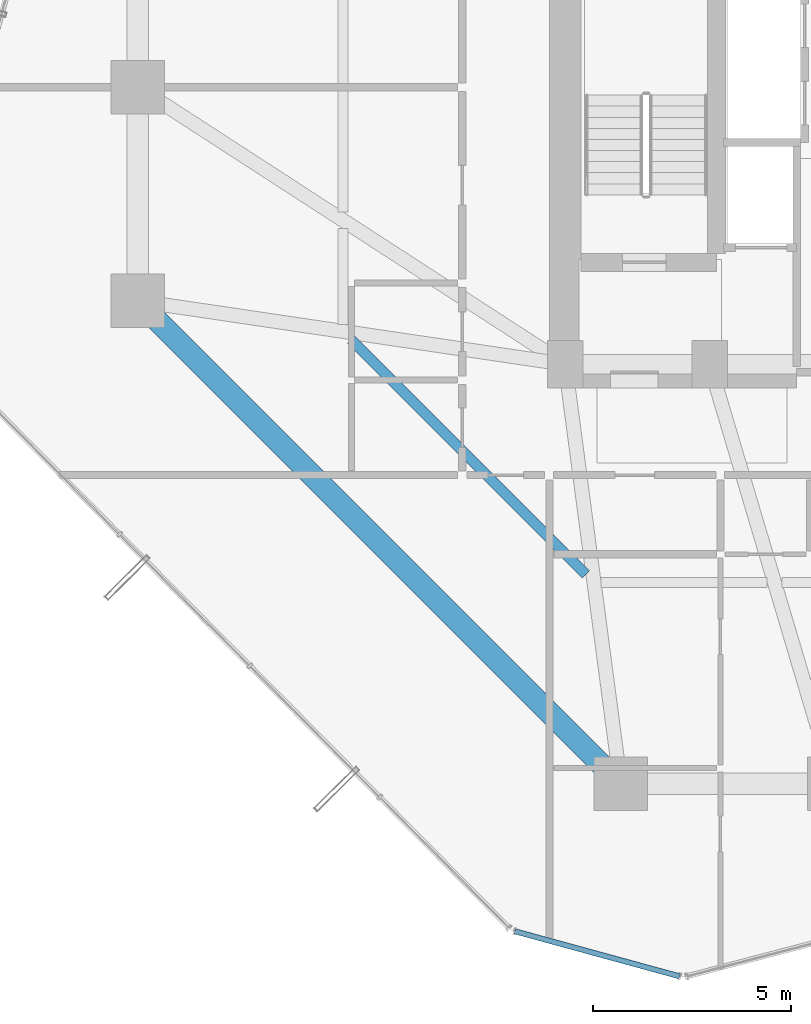
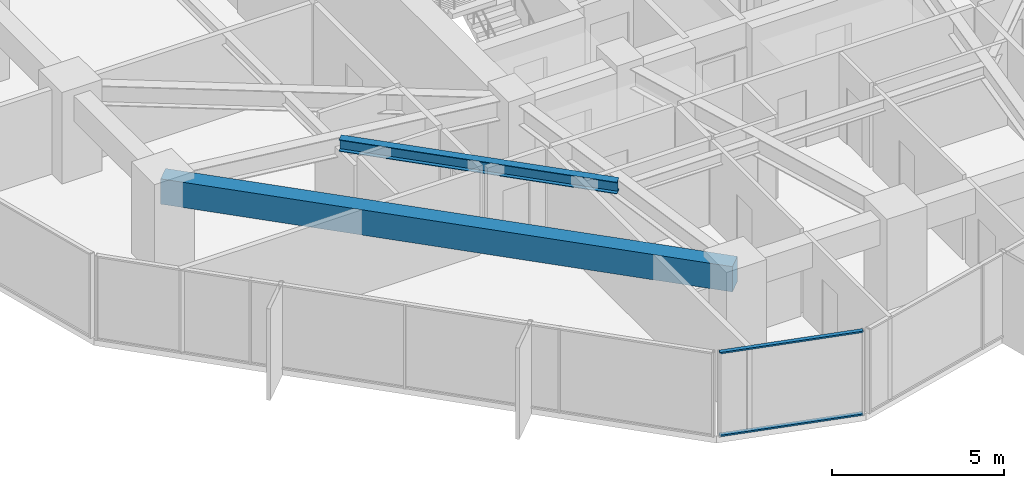
# One storey, part 6 of 39: 2 beams, 2 members, 1 element without a shape of its own.
"""IFC4 building model written with IfcOpenShell, lengths in metres."""

from ifc_helpers import new_model, si_unit, direction, frame, origin, origin_2d, place, context, subcontext, project, spatial, rectangle, hollow_rectangle, i_section, extrude, source, transform, mapped, material, layer, layer_set, material_profile, profile_set, type_object, element, aggregate, save


model = new_model("IFC4")

# Units and contexts
model_context = context("Model", 3, precision=1e-05, world=origin(), true_north=direction((0.0, 1.0)))
body_context = subcontext(model_context, "Body", "Model", "MODEL_VIEW")
ifc_project = project(units=[si_unit("LENGTHUNIT", "METRE"), si_unit("AREAUNIT", "SQUARE_METRE"), si_unit("VOLUMEUNIT", "CUBIC_METRE"), si_unit("PLANEANGLEUNIT", "RADIAN"), si_unit("MASSUNIT", "GRAM", prefix="KILO")], contexts=[model_context])

# Site, building, storey
site_placement = place(None, origin())
site = spatial("IfcSite", under=ifc_project, at=site_placement, CompositionType="ELEMENT")
building_placement = place(site_placement, origin())
building = spatial("IfcBuilding", under=site, at=building_placement, Name="Veraguas Prism Commons", CompositionType="ELEMENT")
storey_placement = place(building_placement, frame((0.0, 0.0, 73.85009765625)))
storey = spatial("IfcBuildingStorey", under=building, at=storey_placement, Name="L20", CompositionType="ELEMENT", Elevation=73.85009765625)

# Beams
ifc_material_1 = material(Name="Steel ASTM A992 Grade 50", Category="steel")
ifc_material_profile_1 = material_profile(ifc_material_1, i_section(OverallWidth=0.260986328125, OverallDepth=0.419921875, WebThickness=0.01171875, FlangeThickness=0.019287109375, at=origin_2d()), Name="W410X114")
ifc_profile_set_1 = profile_set([ifc_material_profile_1], Name="Steel ASTM A992 Grade 50")
beam_type_1 = type_object("IfcBeamType", Name="Lower Floor Joist W410x114", PredefinedType="JOIST", material=ifc_profile_set_1)
beam_1_placement = place(storey_placement, frame((11.79296875, 17.623046875, 2.789794921875), z_axis=(0.707092226423, -0.70712133565, 0.0), x_axis=(0.70712133565, 0.707092226423, 0.0)))
element("IfcBeam", 1, at=beam_1_placement, inside=storey, type_object=beam_type_1, Name="Composite Floor Joist L20-JS09", PredefinedType="JOIST", context=body_context, shape_type="SweptSolid", body=[
    extrude(i_section(OverallWidth=0.260986328125, OverallDepth=0.419921875, WebThickness=0.01171875, FlangeThickness=0.019287109375, at=origin_2d()), origin(), (0.0, 0.0, 1.0), 8.386962890625),
])
ifc_material_2 = material(Name="Concrete C50/60", Category="concrete")
ifc_material_profile_2 = material_profile(ifc_material_2, rectangle(XDim=0.550048828125, YDim=0.89990234375, at=origin_2d()), Name="RC550X900")
ifc_profile_set_2 = profile_set([ifc_material_profile_2], Name="Concrete C50/60")
beam_type_2 = type_object("IfcBeamType", Name="Perimeter Spandrel Lower RC 550x900", PredefinedType="SPANDREL", material=ifc_profile_set_2)
beam_2_placement = place(storey_placement, frame((6.39990234375, 18.60009765625, 2.5498046875), z_axis=(0.707106781187, -0.707106781187, 0.0), x_axis=(0.707106781187, 0.707106781187, 0.0)))
element("IfcBeam", 2, at=beam_2_placement, inside=storey, type_object=beam_type_2, Name="Perimeter Spandrel Beam L20-SP09", PredefinedType="SPANDREL", context=body_context, shape_type="SweptSolid", body=[
    extrude(rectangle(XDim=0.550048828125, YDim=0.89990234375, at=origin_2d()), origin(), (0.0, 0.0, 1.0), 17.253662109375),
])

# Curtain wall, members
ifc_material_3 = material(Name="Anodised aluminium EN AW-6063 T6", Category="aluminium")
ifc_layer = layer(ifc_material_3, 0.169921875, Name="Unitised Flush Curtain Wall Zone 1", Category="aluminium")
ifc_layer_set = layer_set([ifc_layer], Name="Anodised aluminium EN AW-6063 T6")
curtain_wall_type = type_object("IfcCurtainWallType", Name="Unitised Flush Curtain Wall Zone 1", PredefinedType="NOTDEFINED", material=ifc_layer_set)
curtain_wall_placement = place(storey_placement, origin())
curtain_wall = element("IfcCurtainWall", 3, at=curtain_wall_placement, inside=storey, type_object=curtain_wall_type, Name="Chamfer Curtain Wall L20-C5", PredefinedType="NOTDEFINED")
ifc_material_profile_3 = material_profile(ifc_material_3, hollow_rectangle(XDim=0.054931640625, YDim=0.135009765625, WallThickness=0.0029296875, at=origin_2d()), Name="AL55X135X3")
ifc_profile_set_3 = profile_set([ifc_material_profile_3], Name="Anodised aluminium EN AW-6063 T6")
member_type = type_object("IfcMemberType", Name="Curtain Wall Transom Standard AL 55x135x3", PredefinedType="USERDEFINED", material=ifc_profile_set_3)
shared_shape = source(origin(), body_context, "Body", "SweptSolid", [
    extrude(hollow_rectangle(XDim=0.054931640625, YDim=0.135009765625, WallThickness=0.0029296875, at=origin_2d()), origin(), (0.0, 0.0, 1.0), 4.31982421875),
])
member_1_placement = place(storey_placement, frame((15.926513671875, 2.673583984375, 0.02734375), z_axis=(0.964557459573, -0.263872899675, 0.0), x_axis=(0.0, 0.0, 1.0)))
member_1 = element("IfcMember", 4, at=member_1_placement, type_object=member_type, Name="CW-Z1 Transom 1", ObjectType="TRANSOM", PredefinedType="USERDEFINED", context=body_context, shape_type="MappedRepresentation", body=[
    mapped(shared_shape, transform((0.0, 0.0, 0.0), scale=1.0)),
])
member_2_placement = place(storey_placement, frame((15.926513671875, 2.673583984375, 2.972412109375), z_axis=(0.964557459573, -0.263872899675, 0.0), x_axis=(0.0, 0.0, 1.0)))
member_2 = element("IfcMember", 5, at=member_2_placement, type_object=member_type, Name="CW-Z1 Transom 2", ObjectType="TRANSOM", PredefinedType="USERDEFINED", context=body_context, shape_type="MappedRepresentation", body=[
    mapped(shared_shape, transform((0.0, 0.0, 0.0), scale=1.0)),
])
aggregate(curtain_wall, [member_1, member_2])

save(model, "model.ifc")
